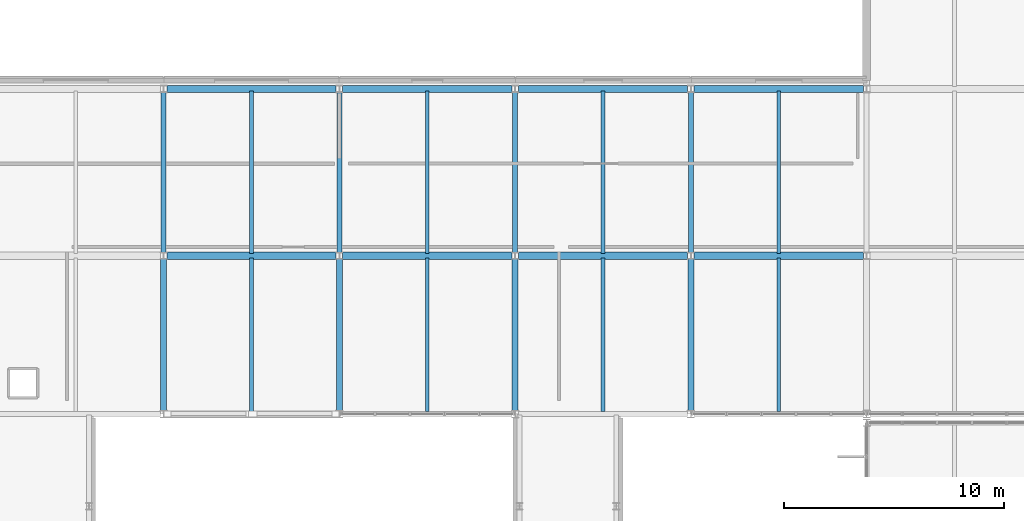
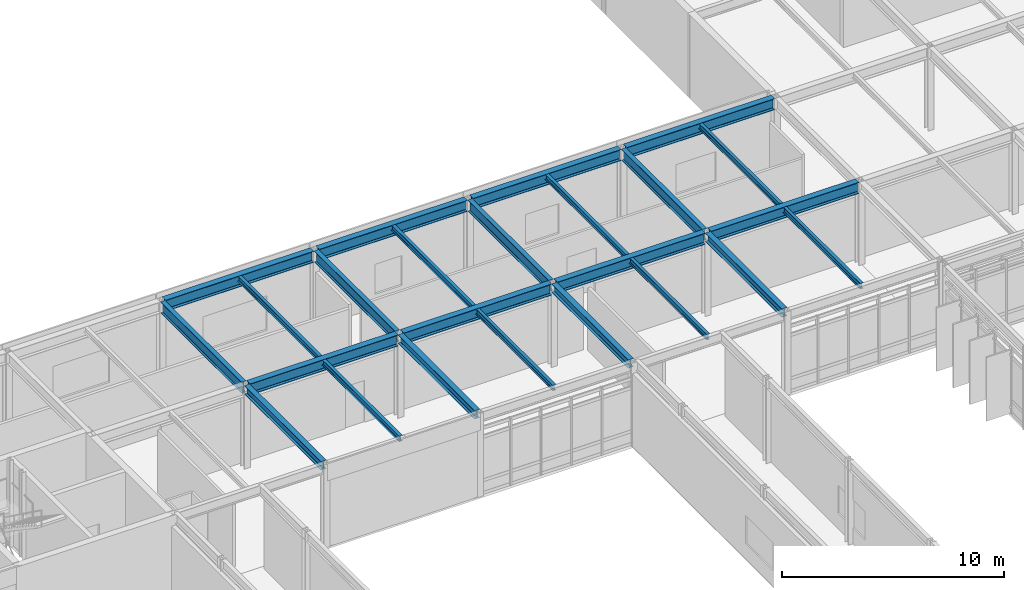
# One storey, part 33 of 104: 24 beams.
"""IFC4 building model written with IfcOpenShell, lengths in metres."""

from ifc_helpers import new_model, si_unit, direction, frame, origin, origin_2d, place, context, subcontext, project, spatial, i_section, extrude, material, material_profile, profile_set, type_object, element, save


model = new_model("IFC4")

# Units and contexts
model_context = context("Model", 3, precision=1e-05, world=origin(), true_north=direction((0.0, 1.0)))
body_context = subcontext(model_context, "Body", "Model", "MODEL_VIEW")
ifc_project = project(units=[si_unit("LENGTHUNIT", "METRE"), si_unit("AREAUNIT", "SQUARE_METRE"), si_unit("VOLUMEUNIT", "CUBIC_METRE"), si_unit("PLANEANGLEUNIT", "RADIAN"), si_unit("MASSUNIT", "GRAM", prefix="KILO")], contexts=[model_context])

# Site, building, storey
site_placement = place(None, origin())
site = spatial("IfcSite", under=ifc_project, at=site_placement, CompositionType="ELEMENT")
building_placement = place(site_placement, origin())
building = spatial("IfcBuilding", under=site, at=building_placement, Name="Zulena Civic Courthouse", CompositionType="ELEMENT")
storey_placement = place(building_placement, frame((0.0, 0.0, 15.60009765625)))
storey = spatial("IfcBuildingStorey", under=building, at=storey_placement, Name="L03", CompositionType="ELEMENT", Elevation=15.60009765625)

# Beams
ifc_material = material(Name="Steel ASTM A992 Grade 50", Category="steel")
ifc_material_profile_1 = material_profile(ifc_material, i_section(OverallWidth=0.324951171875, OverallDepth=0.615966796875, WebThickness=0.013916015625, FlangeThickness=0.021484375, FilletRadius=0.0126953125, at=origin_2d()), Name="W24X117")
ifc_profile_set_1 = profile_set([ifc_material_profile_1], Name="Steel ASTM A992 Grade 50")
beam_type_1 = type_object("IfcBeamType", Name="Girder_W24X117", PredefinedType="BEAM", material=ifc_profile_set_1)
for number, where, z_axis, x_axis, name in (
    (1, (36.14501953125, 53.199951171875, 4.281982421875), (1.0, 0.0, 0.0), (0.0, 1.0, 0.0), "beam:X:V5:L03:53.2:36.0_44.0"),
    (2, (44.14501953125, 53.199951171875, 4.281982421875), (1.0, 0.0, 0.0), (0.0, 1.0, 0.0), "beam:X:V5:L03:53.2:44.0_52.0"),
    (3, (52.14501953125, 53.199951171875, 4.281982421875), (1.0, 0.0, 0.0), (0.0, 1.0, 0.0), "beam:X:V5:L03:53.2:52.0_60.0"),
    (4, (60.14501953125, 53.199951171875, 4.281982421875), (1.0, 0.0, 0.0), (0.0, 1.0, 0.0), "beam:X:V5:L03:53.2:60.0_68.0"),
    (5, (36.14501953125, 60.800048828125, 4.281982421875), (1.0, 0.0, 0.0), (0.0, 1.0, 0.0), "beam:X:V5:L03:60.8:36.0_44.0"),
    (6, (44.14501953125, 60.800048828125, 4.281982421875), (1.0, 0.0, 0.0), (0.0, 1.0, 0.0), "beam:X:V5:L03:60.8:44.0_52.0"),
    (7, (52.14501953125, 60.800048828125, 4.281982421875), (1.0, 0.0, 0.0), (0.0, 1.0, 0.0), "beam:X:V5:L03:60.8:52.0_60.0"),
    (8, (60.14501953125, 60.800048828125, 4.281982421875), (1.0, 0.0, 0.0), (0.0, 1.0, 0.0), "beam:X:V5:L03:60.8:60.0_68.0"),
):
    element("IfcBeam", number, at=place(storey_placement, frame(where, z_axis=z_axis, x_axis=x_axis)), inside=storey, type_object=beam_type_1, Name=name, PredefinedType="BEAM", context=body_context, shape_type="SweptSolid", body=[
        extrude(i_section(OverallWidth=0.324951171875, OverallDepth=0.615966796875, WebThickness=0.013916015625, FlangeThickness=0.021484375, FilletRadius=0.0126953125, at=origin_2d()), origin(), (0.0, 0.0, 1.0), 7.7099609375),
    ])
ifc_material_profile_2 = material_profile(ifc_material, i_section(OverallWidth=0.22998046875, OverallDepth=0.616943359375, WebThickness=0.01318359375, FlangeThickness=0.022216796875, FilletRadius=0.0126953125, at=origin_2d()), Name="W24X94")
ifc_profile_set_2 = profile_set([ifc_material_profile_2], Name="Steel ASTM A992 Grade 50")
beam_type_2 = type_object("IfcBeamType", Name="Girder_W24X94", PredefinedType="BEAM", material=ifc_profile_set_2)
for number, where, z_axis, x_axis, name in (
    (9, (36.0, 53.344970703125, 4.281494140625), (0.0, 1.0, 0.0), (-1.0, 0.0, 0.0), "beam:Y:V5:L03:36.0:53.2_60.8"),
    (10, (44.0, 53.344970703125, 4.281494140625), (0.0, 1.0, 0.0), (-1.0, 0.0, 0.0), "beam:Y:V5:L03:44.0:53.2_60.8"),
    (11, (52.0, 53.344970703125, 4.281494140625), (0.0, 1.0, 0.0), (-1.0, 0.0, 0.0), "beam:Y:V5:L03:52.0:53.2_60.8"),
    (12, (60.0, 53.344970703125, 4.281494140625), (0.0, 1.0, 0.0), (-1.0, 0.0, 0.0), "beam:Y:V5:L03:60.0:53.2_60.8"),
):
    element("IfcBeam", number, at=place(storey_placement, frame(where, z_axis=z_axis, x_axis=x_axis)), inside=storey, type_object=beam_type_2, Name=name, PredefinedType="BEAM", context=body_context, shape_type="SweptSolid", body=[
        extrude(i_section(OverallWidth=0.22998046875, OverallDepth=0.616943359375, WebThickness=0.01318359375, FlangeThickness=0.022216796875, FilletRadius=0.0126953125, at=origin_2d()), origin(), (0.0, 0.0, 1.0), 7.31005859375),
    ])
ifc_material_profile_3 = material_profile(ifc_material, i_section(OverallWidth=0.1650390625, OverallDepth=0.31005859375, WebThickness=0.005859375, FlangeThickness=0.009765625, FilletRadius=0.009765625, at=origin_2d()), Name="W12X26")
ifc_profile_set_3 = profile_set([ifc_material_profile_3], Name="Steel ASTM A992 Grade 50")
beam_type_3 = type_object("IfcBeamType", Name="Joist_W12X26", PredefinedType="JOIST", material=ifc_profile_set_3)
beam_1_placement = place(storey_placement, frame((40.0, 46.10498046875, 4.434814453125), z_axis=(0.0, 1.0, 0.0), x_axis=(-1.0, 0.0, 0.0)))
element("IfcBeam", 13, at=beam_1_placement, inside=storey, type_object=beam_type_3, Name="joist:V5:L03:40.00:46.0_53.2", PredefinedType="JOIST", context=body_context, shape_type="SweptSolid", body=[
    extrude(i_section(OverallWidth=0.1650390625, OverallDepth=0.31005859375, WebThickness=0.005859375, FlangeThickness=0.009765625, FilletRadius=0.009765625, at=origin_2d()), origin(), (0.0, 0.0, 1.0), 6.989990234375),
])
beam_2_placement = place(storey_placement, frame((40.0, 53.304931640625, 4.434814453125), z_axis=(0.0, 1.0, 0.0), x_axis=(-1.0, 0.0, 0.0)))
element("IfcBeam", 14, at=beam_2_placement, inside=storey, type_object=beam_type_3, Name="joist:V5:L03:40.00:53.2_60.8", PredefinedType="JOIST", context=body_context, shape_type="SweptSolid", body=[
    extrude(i_section(OverallWidth=0.1650390625, OverallDepth=0.31005859375, WebThickness=0.005859375, FlangeThickness=0.009765625, FilletRadius=0.009765625, at=origin_2d()), origin(), (0.0, 0.0, 1.0), 7.39013671875),
])
beam_3_placement = place(storey_placement, frame((48.0, 46.10498046875, 4.434814453125), z_axis=(0.0, 1.0, 0.0), x_axis=(-1.0, 0.0, 0.0)))
element("IfcBeam", 15, at=beam_3_placement, inside=storey, type_object=beam_type_3, Name="joist:V5:L03:48.00:46.0_53.2", PredefinedType="JOIST", context=body_context, shape_type="SweptSolid", body=[
    extrude(i_section(OverallWidth=0.1650390625, OverallDepth=0.31005859375, WebThickness=0.005859375, FlangeThickness=0.009765625, FilletRadius=0.009765625, at=origin_2d()), origin(), (0.0, 0.0, 1.0), 6.989990234375),
])
beam_4_placement = place(storey_placement, frame((48.0, 53.304931640625, 4.434814453125), z_axis=(0.0, 1.0, 0.0), x_axis=(-1.0, 0.0, 0.0)))
element("IfcBeam", 16, at=beam_4_placement, inside=storey, type_object=beam_type_3, Name="joist:V5:L03:48.00:53.2_60.8", PredefinedType="JOIST", context=body_context, shape_type="SweptSolid", body=[
    extrude(i_section(OverallWidth=0.1650390625, OverallDepth=0.31005859375, WebThickness=0.005859375, FlangeThickness=0.009765625, FilletRadius=0.009765625, at=origin_2d()), origin(), (0.0, 0.0, 1.0), 7.39013671875),
])
beam_5_placement = place(storey_placement, frame((56.0, 46.10498046875, 4.434814453125), z_axis=(0.0, 1.0, 0.0), x_axis=(-1.0, 0.0, 0.0)))
element("IfcBeam", 17, at=beam_5_placement, inside=storey, type_object=beam_type_3, Name="joist:V5:L03:56.00:46.0_53.2", PredefinedType="JOIST", context=body_context, shape_type="SweptSolid", body=[
    extrude(i_section(OverallWidth=0.1650390625, OverallDepth=0.31005859375, WebThickness=0.005859375, FlangeThickness=0.009765625, FilletRadius=0.009765625, at=origin_2d()), origin(), (0.0, 0.0, 1.0), 6.989990234375),
])
beam_6_placement = place(storey_placement, frame((56.0, 53.304931640625, 4.434814453125), z_axis=(0.0, 1.0, 0.0), x_axis=(-1.0, 0.0, 0.0)))
element("IfcBeam", 18, at=beam_6_placement, inside=storey, type_object=beam_type_3, Name="joist:V5:L03:56.00:53.2_60.8", PredefinedType="JOIST", context=body_context, shape_type="SweptSolid", body=[
    extrude(i_section(OverallWidth=0.1650390625, OverallDepth=0.31005859375, WebThickness=0.005859375, FlangeThickness=0.009765625, FilletRadius=0.009765625, at=origin_2d()), origin(), (0.0, 0.0, 1.0), 7.39013671875),
])
beam_7_placement = place(storey_placement, frame((64.0, 46.10498046875, 4.434814453125), z_axis=(0.0, 1.0, 0.0), x_axis=(-1.0, 0.0, 0.0)))
element("IfcBeam", 19, at=beam_7_placement, inside=storey, type_object=beam_type_3, Name="joist:V5:L03:64.00:46.0_53.2", PredefinedType="JOIST", context=body_context, shape_type="SweptSolid", body=[
    extrude(i_section(OverallWidth=0.1650390625, OverallDepth=0.31005859375, WebThickness=0.005859375, FlangeThickness=0.009765625, FilletRadius=0.009765625, at=origin_2d()), origin(), (0.0, 0.0, 1.0), 6.989990234375),
])
beam_8_placement = place(storey_placement, frame((64.0, 53.304931640625, 4.434814453125), z_axis=(0.0, 1.0, 0.0), x_axis=(-1.0, 0.0, 0.0)))
element("IfcBeam", 20, at=beam_8_placement, inside=storey, type_object=beam_type_3, Name="joist:V5:L03:64.00:53.2_60.8", PredefinedType="JOIST", context=body_context, shape_type="SweptSolid", body=[
    extrude(i_section(OverallWidth=0.1650390625, OverallDepth=0.31005859375, WebThickness=0.005859375, FlangeThickness=0.009765625, FilletRadius=0.009765625, at=origin_2d()), origin(), (0.0, 0.0, 1.0), 7.39013671875),
])
ifc_material_profile_4 = material_profile(ifc_material, i_section(OverallWidth=0.280029296875, OverallDepth=0.462890625, WebThickness=0.0107421875, FlangeThickness=0.017333984375, FilletRadius=0.01025390625, at=origin_2d()), Name="W18X76")
ifc_profile_set_4 = profile_set([ifc_material_profile_4], Name="Steel ASTM A992 Grade 50")
beam_type_4 = type_object("IfcBeamType", Name="Spandrel_W18X76", PredefinedType="SPANDREL", material=ifc_profile_set_4)
for number, where, z_axis, x_axis, name in (
    (21, (36.0, 46.14501953125, 4.3583984375), (0.0, 1.0, 0.0), (-1.0, 0.0, 0.0), "beam:Y:V5:L03:36.0:46.0_53.2"),
    (22, (44.0, 46.14501953125, 4.3583984375), (0.0, 1.0, 0.0), (-1.0, 0.0, 0.0), "beam:Y:V5:L03:44.0:46.0_53.2"),
    (23, (52.0, 46.14501953125, 4.3583984375), (0.0, 1.0, 0.0), (-1.0, 0.0, 0.0), "beam:Y:V5:L03:52.0:46.0_53.2"),
    (24, (60.0, 46.14501953125, 4.3583984375), (0.0, 1.0, 0.0), (-1.0, 0.0, 0.0), "beam:Y:V5:L03:60.0:46.0_53.2"),
):
    element("IfcBeam", number, at=place(storey_placement, frame(where, z_axis=z_axis, x_axis=x_axis)), inside=storey, type_object=beam_type_4, Name=name, PredefinedType="SPANDREL", context=body_context, shape_type="SweptSolid", body=[
        extrude(i_section(OverallWidth=0.280029296875, OverallDepth=0.462890625, WebThickness=0.0107421875, FlangeThickness=0.017333984375, FilletRadius=0.01025390625, at=origin_2d()), origin(), (0.0, 0.0, 1.0), 6.909912109375),
    ])

save(model, "model.ifc")
